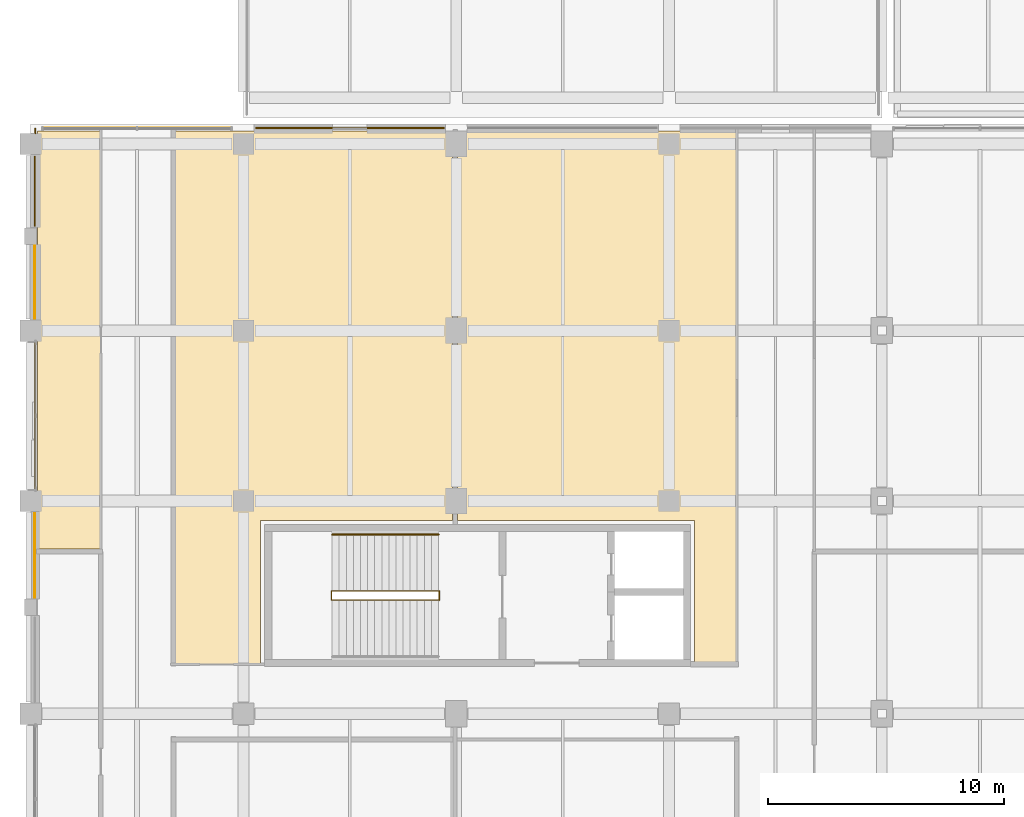
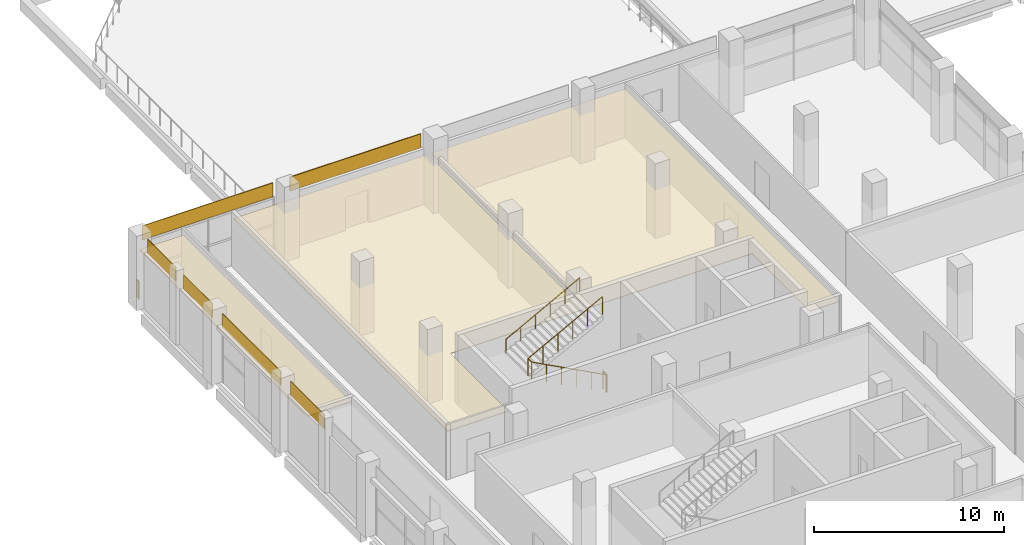
# One storey, part 70 of 82: 9 coverings, 4 railings.
"""IFC4 building model written with IfcOpenShell, lengths in metres."""

from ifc_helpers import new_model, si_unit, direction, frame, origin, origin_2d, place, context, subcontext, project, spatial, polyline, rectangle, circle, outline, extrude, material, layer, layer_set, type_object, element, save


model = new_model("IFC4")

# Units and contexts
model_context = context("Model", 3, precision=1e-05, world=origin(), true_north=direction((0.0, 1.0)))
body_context = subcontext(model_context, "Body", "Model", "MODEL_VIEW")
ifc_project = project(units=[si_unit("LENGTHUNIT", "METRE"), si_unit("AREAUNIT", "SQUARE_METRE"), si_unit("VOLUMEUNIT", "CUBIC_METRE"), si_unit("PLANEANGLEUNIT", "RADIAN"), si_unit("MASSUNIT", "GRAM", prefix="KILO"), si_unit("THERMODYNAMICTEMPERATUREUNIT", "KELVIN"), si_unit("POWERUNIT", "WATT")], contexts=[model_context])

# Site, building, storey
site_placement = place(None, origin())
site = spatial("IfcSite", under=ifc_project, at=site_placement, CompositionType="ELEMENT")
building_placement = place(site_placement, origin())
building = spatial("IfcBuilding", under=site, at=building_placement, Name="Sindhuravela Promenade Stadium", CompositionType="ELEMENT")
storey_placement = place(building_placement, frame((0.0, 0.0, 14.39990234375)))
storey = spatial("IfcBuildingStorey", under=building, at=storey_placement, Name="L03", CompositionType="ELEMENT", Elevation=14.39990234375)

# Coverings
ifc_material_1 = material(Name="Acoustic mineral-fibre ceiling tile", Category="gypsum")
ifc_layer_1 = layer(ifc_material_1, 0.044921875)
ifc_layer_set_1 = layer_set([ifc_layer_1], Name="Acoustic mineral-fibre ceiling tile")
covering_type_1 = type_object("IfcCoveringType", Name="CV-CEIL-2", PredefinedType="CEILING", material=ifc_layer_set_1)
covering_1_placement = place(storey_placement, frame((0.0, 0.0, 3.050048828125)))
element("IfcCovering", 1, at=covering_1_placement, inside=storey, type_object=covering_type_1, Name="Acoustic ceiling Hospitality Tier Fixed Seating Stands West", PredefinedType="CEILING", context=body_context, shape_type="SweptSolid", body=[
    extrude(outline(polyline([(9.719970703125, 108.97998046875), (9.719970703125, 102.889892578125), (9.719970703125, 102.887939453125), (9.719482421875, 102.885986328125), (9.718994140625, 102.88427734375), (9.718505859375, 102.88232421875), (9.717529296875, 102.880615234375), (9.716552734375, 102.87890625), (9.715576171875, 102.877197265625), (9.714111328125, 102.8759765625), (9.712646484375, 102.87451171875), (9.711181640625, 102.873291015625), (9.70947265625, 102.872314453125), (9.707763671875, 102.87158203125), (9.705810546875, 102.870849609375), (9.703857421875, 102.870361328125), (9.701904296875, 102.8701171875), (9.699951171875, 102.8701171875), (6.0400390625, 102.8701171875), (6.0380859375, 102.8701171875), (6.0361328125, 102.870361328125), (6.0341796875, 102.870849609375), (6.0322265625, 102.87158203125), (6.030517578125, 102.872314453125), (6.02880859375, 102.873291015625), (6.02734375, 102.87451171875), (6.02587890625, 102.8759765625), (6.0244140625, 102.877197265625), (6.0234375, 102.87890625), (6.0224609375, 102.880615234375), (6.021484375, 102.88232421875), (6.02099609375, 102.88427734375), (6.0205078125, 102.885986328125), (6.02001953125, 102.887939453125), (6.02001953125, 102.889892578125), (6.02001953125, 125.429931640625), (6.02001953125, 125.431884765625), (6.0205078125, 125.433837890625), (6.02099609375, 125.435791015625), (6.021484375, 125.437744140625), (6.0224609375, 125.439453125), (6.0234375, 125.441162109375), (6.0244140625, 125.442626953125), (6.02587890625, 125.444091796875), (6.02734375, 125.445556640625), (6.02880859375, 125.446533203125), (6.030517578125, 125.447509765625), (6.0322265625, 125.448486328125), (6.0341796875, 125.44921875), (6.0361328125, 125.44970703125), (6.0380859375, 125.449951171875), (6.0400390625, 125.449951171875), (17.830078125, 125.449951171875), (17.83203125, 125.449951171875), (17.833984375, 125.44970703125), (17.835693359375, 125.44921875), (17.837646484375, 125.448486328125), (17.83935546875, 125.447509765625), (17.841064453125, 125.446533203125), (17.8427734375, 125.445556640625), (17.843994140625, 125.444091796875), (17.845458984375, 125.442626953125), (17.8466796875, 125.441162109375), (17.84765625, 125.439453125), (17.848388671875, 125.437744140625), (17.84912109375, 125.435791015625), (17.849609375, 125.433837890625), (17.849853515625, 125.431884765625), (17.85009765625, 125.429931640625), (17.85009765625, 109.0), (17.849853515625, 108.998046875), (17.849609375, 108.99609375), (17.84912109375, 108.994140625), (17.848388671875, 108.9921875), (17.84765625, 108.990478515625), (17.8466796875, 108.989013671875), (17.845458984375, 108.9873046875), (17.843994140625, 108.98583984375), (17.8427734375, 108.984619140625), (17.841064453125, 108.9833984375), (17.83935546875, 108.982421875), (17.837646484375, 108.9814453125), (17.835693359375, 108.98095703125), (17.833984375, 108.98046875), (17.83203125, 108.97998046875), (17.830078125, 108.97998046875), (9.719970703125, 108.97998046875)])), origin(), (0.0, 0.0, 1.0), 0.045166015625),
])
covering_2_placement = place(storey_placement, frame((0.0, 0.0, 3.050048828125)))
element("IfcCovering", 2, at=covering_2_placement, inside=storey, type_object=covering_type_1, Name="Acoustic ceiling Executive Hospitality Suite W01", PredefinedType="CEILING", context=body_context, shape_type="SweptSolid", body=[
    extrude(outline(polyline([(29.8798828125, 102.889892578125), (29.8798828125, 102.887939453125), (29.879638671875, 102.885986328125), (29.879150390625, 102.88427734375), (29.87841796875, 102.88232421875), (29.877685546875, 102.880615234375), (29.876708984375, 102.87890625), (29.87548828125, 102.877197265625), (29.8740234375, 102.8759765625), (29.872802734375, 102.87451171875), (29.87109375, 102.873291015625), (29.869384765625, 102.872314453125), (29.86767578125, 102.87158203125), (29.86572265625, 102.870849609375), (29.864013671875, 102.870361328125), (29.862060546875, 102.8701171875), (29.860107421875, 102.8701171875), (28.10009765625, 102.8701171875), (28.097900390625, 102.8701171875), (28.09619140625, 102.870361328125), (28.09423828125, 102.870849609375), (28.09228515625, 102.87158203125), (28.090576171875, 102.872314453125), (28.0888671875, 102.873291015625), (28.08740234375, 102.87451171875), (28.0859375, 102.8759765625), (28.08447265625, 102.877197265625), (28.08349609375, 102.87890625), (28.08251953125, 102.880615234375), (28.08154296875, 102.88232421875), (28.080810546875, 102.88427734375), (28.080322265625, 102.885986328125), (28.080078125, 102.887939453125), (28.080078125, 102.889892578125), (28.080078125, 108.97998046875), (18.070068359375, 108.97998046875), (18.068115234375, 108.97998046875), (18.066162109375, 108.98046875), (18.064208984375, 108.98095703125), (18.062255859375, 108.9814453125), (18.060546875, 108.982421875), (18.058837890625, 108.9833984375), (18.057373046875, 108.984619140625), (18.055908203125, 108.98583984375), (18.054443359375, 108.9873046875), (18.053466796875, 108.989013671875), (18.052490234375, 108.990478515625), (18.051513671875, 108.9921875), (18.05078125, 108.994140625), (18.05029296875, 108.99609375), (18.050048828125, 108.998046875), (18.050048828125, 109.0), (18.050048828125, 125.429931640625), (18.050048828125, 125.431884765625), (18.05029296875, 125.433837890625), (18.05078125, 125.435791015625), (18.051513671875, 125.437744140625), (18.052490234375, 125.439453125), (18.053466796875, 125.441162109375), (18.054443359375, 125.442626953125), (18.055908203125, 125.444091796875), (18.057373046875, 125.445556640625), (18.058837890625, 125.446533203125), (18.060546875, 125.447509765625), (18.062255859375, 125.448486328125), (18.064208984375, 125.44921875), (18.066162109375, 125.44970703125), (18.068115234375, 125.449951171875), (18.070068359375, 125.449951171875), (29.860107421875, 125.449951171875), (29.862060546875, 125.449951171875), (29.864013671875, 125.44970703125), (29.86572265625, 125.44921875), (29.86767578125, 125.448486328125), (29.869384765625, 125.447509765625), (29.87109375, 125.446533203125), (29.872802734375, 125.445556640625), (29.8740234375, 125.444091796875), (29.87548828125, 125.442626953125), (29.876708984375, 125.441162109375), (29.877685546875, 125.439453125), (29.87841796875, 125.437744140625), (29.879150390625, 125.435791015625), (29.879638671875, 125.433837890625), (29.8798828125, 125.431884765625), (29.8798828125, 125.429931640625), (29.8798828125, 102.889892578125)])), origin(), (0.0, 0.0, 1.0), 0.045166015625),
])
covering_3_placement = place(storey_placement, frame((0.0, 0.0, 3.050048828125)))
element("IfcCovering", 3, at=covering_3_placement, inside=storey, type_object=covering_type_1, Name="Acoustic ceiling Hospitality Toilet Suite West L03 9", PredefinedType="CEILING", context=body_context, shape_type="SweptSolid", body=[
    extrude(outline(polyline([(2.9599609375, 125.449951171875), (2.9619140625, 125.449951171875), (2.9638671875, 125.44970703125), (2.9658203125, 125.44921875), (2.9677734375, 125.448486328125), (2.969482421875, 125.447509765625), (2.97119140625, 125.446533203125), (2.97265625, 125.445556640625), (2.97412109375, 125.444091796875), (2.9755859375, 125.442626953125), (2.9765625, 125.441162109375), (2.9775390625, 125.439453125), (2.978515625, 125.437744140625), (2.97900390625, 125.435791015625), (2.9794921875, 125.433837890625), (2.97998046875, 125.431884765625), (2.97998046875, 125.429931640625), (2.97998046875, 107.778076171875), (2.97998046875, 107.77587890625), (2.9794921875, 107.774169921875), (2.97900390625, 107.772216796875), (2.978515625, 107.770263671875), (2.9775390625, 107.7685546875), (2.9765625, 107.766845703125), (2.9755859375, 107.765380859375), (2.97412109375, 107.763916015625), (2.97265625, 107.762451171875), (2.97119140625, 107.761474609375), (2.969482421875, 107.760498046875), (2.9677734375, 107.759521484375), (2.9658203125, 107.7587890625), (2.9638671875, 107.75830078125), (2.9619140625, 107.758056640625), (2.9599609375, 107.758056640625), (0.320068359375, 107.758056640625), (0.318115234375, 107.758056640625), (0.316162109375, 107.75830078125), (0.314208984375, 107.7587890625), (0.312255859375, 107.759521484375), (0.310546875, 107.760498046875), (0.308837890625, 107.761474609375), (0.307373046875, 107.762451171875), (0.305908203125, 107.763916015625), (0.304443359375, 107.765380859375), (0.303466796875, 107.766845703125), (0.302490234375, 107.7685546875), (0.301513671875, 107.770263671875), (0.30078125, 107.772216796875), (0.30029296875, 107.774169921875), (0.300048828125, 107.77587890625), (0.300048828125, 107.778076171875), (0.300048828125, 125.429931640625), (0.300048828125, 125.431884765625), (0.30029296875, 125.433837890625), (0.30078125, 125.435791015625), (0.301513671875, 125.437744140625), (0.302490234375, 125.439453125), (0.303466796875, 125.441162109375), (0.304443359375, 125.442626953125), (0.305908203125, 125.444091796875), (0.307373046875, 125.445556640625), (0.308837890625, 125.446533203125), (0.310546875, 125.447509765625), (0.312255859375, 125.448486328125), (0.314208984375, 125.44921875), (0.316162109375, 125.44970703125), (0.318115234375, 125.449951171875), (0.320068359375, 125.449951171875), (2.9599609375, 125.449951171875)])), origin(), (0.0, 0.0, 1.0), 0.045166015625),
])
ifc_material_2 = material(Name="Polychrome trencadis ceramic mosaic", Category="masonry")
ifc_layer_2 = layer(ifc_material_2, 0.034912109375)
ifc_layer_set_2 = layer_set([ifc_layer_2], Name="Polychrome trencadis ceramic mosaic")
covering_type_2 = type_object("IfcCoveringType", Name="CV-TRENC-1", PredefinedType="CLADDING", material=ifc_layer_set_2)
covering_4_placement = place(storey_placement, frame((0.179931640625, 107.5, 3.55517578125), z_axis=(0.0, 0.0, 1.0), x_axis=(0.0, 1.0, 0.0)))
element("IfcCovering", 4, at=covering_4_placement, inside=storey, type_object=covering_type_2, Name="Trencadis ceramic mosaic spandrel frieze WEST L03-76", PredefinedType="CLADDING", context=body_context, shape_type="SweptSolid", body=[
    extrude(rectangle(XDim=3.570068359375, YDim=0.034912109375, at=origin_2d()), origin(), (0.0, 0.0, 1.0), 0.905029296875),
])
covering_5_placement = place(storey_placement, frame((0.179931640625, 119.050048828125, 3.55517578125), z_axis=(0.0, 0.0, 1.0), x_axis=(0.0, 1.0, 0.0)))
element("IfcCovering", 5, at=covering_5_placement, inside=storey, type_object=covering_type_2, Name="Trencadis ceramic mosaic spandrel frieze WEST L03-78", PredefinedType="CLADDING", context=body_context, shape_type="SweptSolid", body=[
    extrude(rectangle(XDim=3.070068359375, YDim=0.034912109375, at=origin_2d()), origin(), (0.0, 0.0, 1.0), 0.905029296875),
])
covering_6_placement = place(storey_placement, frame((4.5, 125.570068359375, 3.55517578125), z_axis=(0.0, 0.0, 1.0), x_axis=(1.0, 0.0, 0.0)))
element("IfcCovering", 6, at=covering_6_placement, inside=storey, type_object=covering_type_2, Name="Trencadis ceramic mosaic spandrel frieze WEST L03-80", PredefinedType="CLADDING", context=body_context, shape_type="SweptSolid", body=[
    extrude(rectangle(XDim=7.969970703125, YDim=0.034912109375, at=origin_2d()), origin(), (0.0, 0.0, 1.0), 0.905029296875),
])
ifc_layer_3 = layer(ifc_material_2, 0.050048828125)
ifc_layer_set_3 = layer_set([ifc_layer_3], Name="Polychrome trencadis ceramic mosaic")
covering_type_3 = type_object("IfcCoveringType", Name="CV-TRENC-2", PredefinedType="CLADDING", material=ifc_layer_set_3)
covering_7_placement = place(storey_placement, frame((0.179931640625, 113.39990234375, 3.55517578125), z_axis=(0.0, 0.0, 1.0), x_axis=(0.0, 1.0, 0.0)))
element("IfcCovering", 7, at=covering_7_placement, inside=storey, type_object=covering_type_3, Name="Trencadis ceramic mosaic spandrel frieze WEST L03-77", PredefinedType="CLADDING", context=body_context, shape_type="SweptSolid", body=[
    extrude(rectangle(XDim=6.169921875, YDim=0.050048828125, at=origin_2d()), origin(), (0.0, 0.0, 1.0), 0.905029296875),
])
covering_8_placement = place(storey_placement, frame((0.179931640625, 122.89990234375, 3.55517578125), z_axis=(0.0, 0.0, 1.0), x_axis=(0.0, 1.0, 0.0)))
element("IfcCovering", 8, at=covering_8_placement, inside=storey, type_object=covering_type_3, Name="Trencadis ceramic mosaic spandrel frieze WEST L03-79", PredefinedType="CLADDING", context=body_context, shape_type="SweptSolid", body=[
    extrude(rectangle(XDim=2.969970703125, YDim=0.050048828125, at=origin_2d()), origin(), (0.0, 0.0, 1.0), 0.905029296875),
])
covering_9_placement = place(storey_placement, frame((13.5, 125.570068359375, 3.55517578125), z_axis=(0.0, 0.0, 1.0), x_axis=(1.0, 0.0, 0.0)))
element("IfcCovering", 9, at=covering_9_placement, inside=storey, type_object=covering_type_3, Name="Trencadis ceramic mosaic spandrel frieze WEST L03-81", PredefinedType="CLADDING", context=body_context, shape_type="SweptSolid", body=[
    extrude(rectangle(XDim=7.969970703125, YDim=0.050048828125, at=origin_2d()), origin(), (0.0, 0.0, 1.0), 0.905029296875),
])

# Railings
ifc_material_3 = material(Name="Architectural wrought steel E350", Category="steel")
railing_type_1 = type_object("IfcRailingType", Name="RL-GRD-1150", PredefinedType="GUARDRAIL", material=ifc_material_3)
railing_1_placement = place(storey_placement, frame((0.199951171875, 125.35498046875, 0.0)))
element("IfcRailing", 10, at=railing_1_placement, inside=storey, type_object=railing_type_1, Name="Perimeter edge return guard WEST L03", PredefinedType="GUARDRAIL", context=body_context, shape_type="SweptSolid", body=[
    extrude(circle(Radius=0.02392578125, at=origin_2d()), frame((0.0, 0.0, 1.1259765625), z_axis=(0.0, 1.0, 0.0), x_axis=(-1.0, 0.0, 0.0)), (0.0, 0.0, 1.0), 0.195068359375),
    extrude(circle(Radius=0.02099609375, at=origin_2d()), origin(), (0.0, 0.0, 1.0), 1.101806640625),
    extrude(circle(Radius=0.02099609375, at=origin_2d()), frame((0.0, 0.195068359375, 0.0)), (0.0, 0.0, 1.0), 1.101806640625),
])
railing_2_placement = place(storey_placement, frame((17.25, 105.610107421875, 0.0)))
element("IfcRailing", 11, at=railing_2_placement, inside=storey, type_object=railing_type_1, Name="Stair ST04 inner well guard (L03)", PredefinedType="GUARDRAIL", context=body_context, shape_type="SweptSolid", body=[
    extrude(circle(Radius=0.02392578125, at=origin_2d()), frame((0.0, 0.0, 1.1259765625), z_axis=(-0.8836349624059475, 0.0, 0.46817651928929505), x_axis=(0.0, -1.0, 0.0)), (0.0, 0.0, 1.0), 5.12646484375),
    extrude(circle(Radius=0.02392578125, at=origin_2d()), frame((-4.530029296875, 0.0, 3.52587890625), z_axis=(0.0, 1.0, 0.0), x_axis=(-1.0, 0.0, 0.0)), (0.0, 0.0, 1.0), 0.3798828125),
    extrude(circle(Radius=0.02392578125, at=origin_2d()), frame((-4.530029296875, 0.3798828125, 3.52587890625), z_axis=(0.8836546633431795, 0.0, 0.46813933390802775), x_axis=(0.0, 1.0, 0.0)), (0.0, 0.0, 1.0), 5.12646484375),
    extrude(circle(Radius=0.02099609375, at=origin_2d()), origin(), (0.0, 0.0, 1.0), 1.101806640625),
    extrude(circle(Radius=0.02099609375, at=origin_2d()), frame((-0.906005859375, 0.0, 0.47998046875)), (0.0, 0.0, 1.0), 1.101806640625),
    extrude(circle(Radius=0.02099609375, at=origin_2d()), frame((-1.81201171875, 0.0, 0.9599609375)), (0.0, 0.0, 1.0), 1.101806640625),
    extrude(circle(Radius=0.02099609375, at=origin_2d()), frame((-2.718017578125, 0.0, 1.440185546875)), (0.0, 0.0, 1.0), 1.101806640625),
    extrude(circle(Radius=0.02099609375, at=origin_2d()), frame((-3.6240234375, 0.0, 1.920166015625)), (0.0, 0.0, 1.0), 1.101806640625),
    extrude(circle(Radius=0.02099609375, at=origin_2d()), frame((-4.530029296875, 0.0, 2.400146484375)), (0.0, 0.0, 1.0), 1.101806640625),
    extrude(circle(Radius=0.02099609375, at=origin_2d()), frame((-4.530029296875, 0.3798828125, 2.400146484375)), (0.0, 0.0, 1.0), 1.101806640625),
    extrude(circle(Radius=0.02099609375, at=origin_2d()), frame((-3.6240234375, 0.3798828125, 2.880126953125)), (0.0, 0.0, 1.0), 1.101806640625),
    extrude(circle(Radius=0.02099609375, at=origin_2d()), frame((-2.718017578125, 0.3798828125, 3.360107421875)), (0.0, 0.0, 1.0), 1.101806640625),
    extrude(circle(Radius=0.02099609375, at=origin_2d()), frame((-1.81201171875, 0.3798828125, 3.840087890625)), (0.0, 0.0, 1.0), 1.101806640625),
    extrude(circle(Radius=0.02099609375, at=origin_2d()), frame((-0.906005859375, 0.3798828125, 4.320068359375)), (0.0, 0.0, 1.0), 1.101806640625),
    extrude(circle(Radius=0.02099609375, at=origin_2d()), frame((0.0, 0.3798828125, 4.800048828125)), (0.0, 0.0, 1.0), 1.101806640625),
])
railing_3_placement = place(storey_placement, frame((17.280029296875, 105.610107421875, 0.0)))
element("IfcRailing", 12, at=railing_3_placement, inside=storey, type_object=railing_type_1, Name="Stair ST04 landing well slot guard (L03)", PredefinedType="GUARDRAIL", context=body_context, shape_type="SweptSolid", body=[
    extrude(circle(Radius=0.02392578125, at=origin_2d()), frame((0.0, 0.0, 1.1259765625), z_axis=(0.0, 1.0, 0.0), x_axis=(-1.0, 0.0, 0.0)), (0.0, 0.0, 1.0), 0.3798828125),
    extrude(circle(Radius=0.02099609375, at=origin_2d()), origin(), (0.0, 0.0, 1.0), 1.101806640625),
    extrude(circle(Radius=0.02099609375, at=origin_2d()), frame((0.0, 0.3798828125, 0.0)), (0.0, 0.0, 1.0), 1.101806640625),
])
railing_type_2 = type_object("IfcRailingType", Name="RL-HND-920", PredefinedType="HANDRAIL", material=ifc_material_3)
railing_4_placement = place(storey_placement, frame((12.75, 108.3798828125, 2.400146484375)))
element("IfcRailing", 13, at=railing_4_placement, inside=storey, type_object=railing_type_2, Name="Stair ST04 upper wall handrail (L03)", PredefinedType="HANDRAIL", context=body_context, shape_type="SweptSolid", body=[
    extrude(circle(Radius=0.02392578125, at=origin_2d()), frame((0.0, 0.0, 0.89599609375), z_axis=(0.8823608919668723, 0.0, 0.4705733272588083), x_axis=(0.0, 1.0, 0.0)), (0.0, 0.0, 1.0), 5.099853515625),
    extrude(circle(Radius=0.02099609375, at=origin_2d()), origin(), (0.0, 0.0, 1.0), 0.871826171875),
    extrude(circle(Radius=0.02099609375, at=origin_2d()), frame((0.89990234375, 0.0, 0.47998046875)), (0.0, 0.0, 1.0), 0.871826171875),
    extrude(circle(Radius=0.02099609375, at=origin_2d()), frame((1.800048828125, 0.0, 0.9599609375)), (0.0, 0.0, 1.0), 0.871826171875),
    extrude(circle(Radius=0.02099609375, at=origin_2d()), frame((2.699951171875, 0.0, 1.43994140625)), (0.0, 0.0, 1.0), 0.871826171875),
    extrude(circle(Radius=0.02099609375, at=origin_2d()), frame((3.60009765625, 0.0, 1.919921875)), (0.0, 0.0, 1.0), 0.871826171875),
    extrude(circle(Radius=0.02099609375, at=origin_2d()), frame((4.5, 0.0, 2.39990234375)), (0.0, 0.0, 1.0), 0.871826171875),
])

save(model, "model.ifc")
